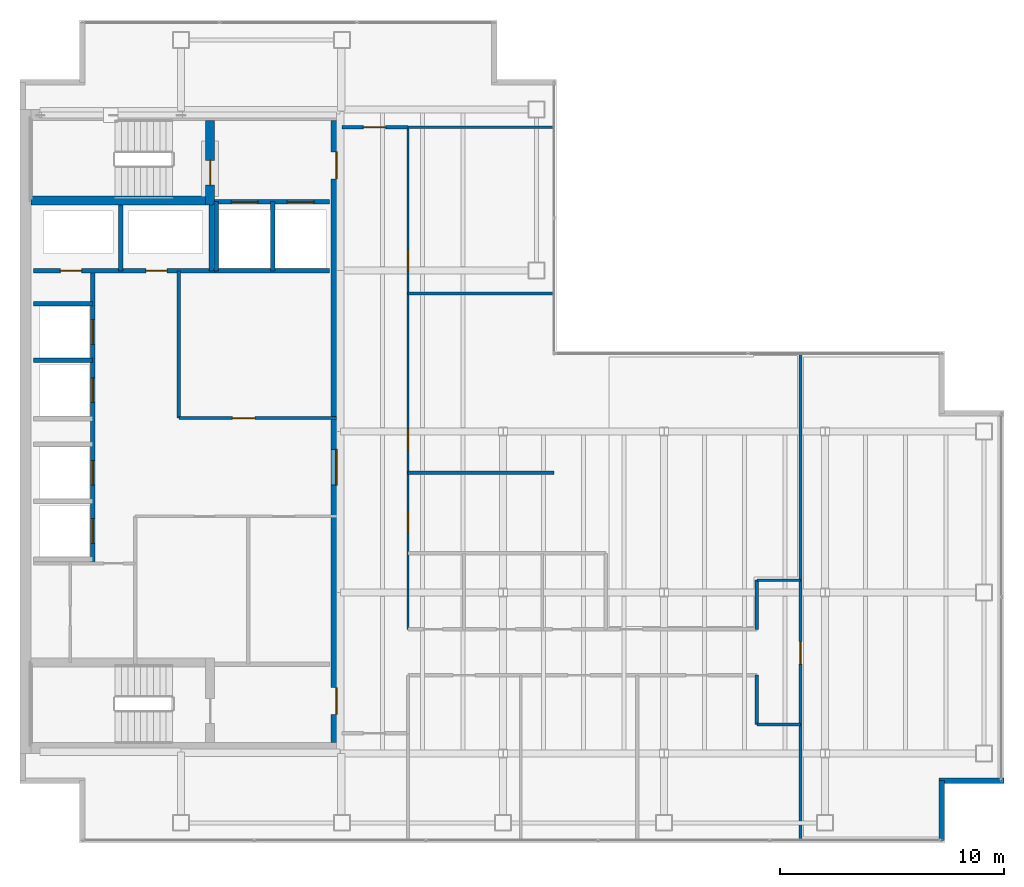
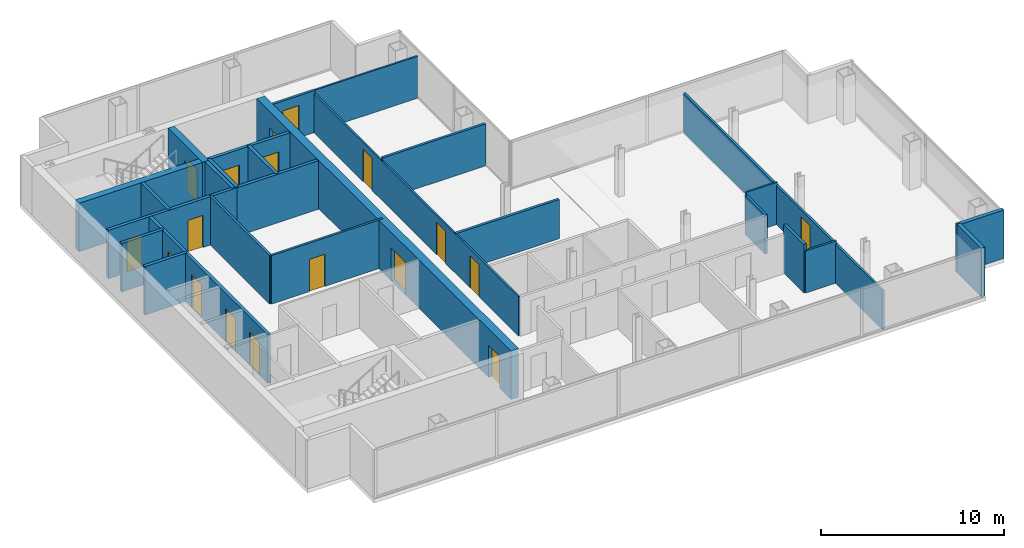
# One storey, part 21 of 23: 27 walls, 18 doors, 18 openings.
"""IFC4 building model written with IfcOpenShell, lengths in metres."""

from ifc_helpers import new_model, si_unit, direction, frame, frame_2d, origin, place, context, subcontext, project, spatial, rectangle, extrude, material, layer, layer_set, type_object, element, fill, save


model = new_model("IFC4")

# Units and contexts
model_context = context("Model", 3, precision=1e-05, world=origin(), true_north=direction((0.0, 1.0)))
body_context = subcontext(model_context, "Body", "Model", "MODEL_VIEW")
ifc_project = project(units=[si_unit("LENGTHUNIT", "METRE"), si_unit("AREAUNIT", "SQUARE_METRE"), si_unit("VOLUMEUNIT", "CUBIC_METRE"), si_unit("PLANEANGLEUNIT", "RADIAN"), si_unit("MASSUNIT", "GRAM", prefix="KILO")], contexts=[model_context])

# Site, building, storey
site_placement = place(None, origin())
site = spatial("IfcSite", under=ifc_project, at=site_placement, CompositionType="ELEMENT")
building_placement = place(site_placement, origin())
building = spatial("IfcBuilding", under=site, at=building_placement, Name="Cobrela Telecom Tower", CompositionType="ELEMENT")
storey_placement = place(building_placement, frame((0.0, 0.0, 218.75)))
storey = spatial("IfcBuildingStorey", under=building, at=storey_placement, Name="L56", CompositionType="ELEMENT", Elevation=218.75)

# Wall, openings, doors
ifc_material_1 = material(Name="Concrete C40/50", Category="concrete")
ifc_layer_1 = layer(ifc_material_1, 0.5)
ifc_layer_set_1 = layer_set([ifc_layer_1], Name="Concrete C40/50")
wall_type_1 = type_object("IfcWallType", Name="WALL-CORE-C40-500", PredefinedType="SHEAR", material=ifc_layer_set_1)
wall_1_placement = place(storey_placement, frame((14.14990234375, 35.5, 0.0), z_axis=(0.0, 0.0, 1.0), x_axis=(0.0, -1.0, 0.0)))
wall_1 = element("IfcWall", 1, at=wall_1_placement, inside=storey, type_object=wall_type_1, Name="L56 East Core Shear Wall", PredefinedType="SHEAR", context=body_context, shape_type="SweptSolid", body=[
    extrude(rectangle(XDim=27.800048828125, YDim=0.5, at=frame_2d((13.89990234375, 0.0))), origin(), (0.0, 0.0, 1.0), 3.239990234375),
])
opening_1_placement = place(wall_1_placement, frame((1.39990234375, 0.0, 0.0)))
opening_1 = element("IfcOpeningElement", 2, at=opening_1_placement, cuts=wall_1, Name="Opening DR-19", PredefinedType="OPENING", context=body_context, shape_type="SweptSolid", body=[
    extrude(rectangle(XDim=1.199951171875, YDim=2.14990234375, at=frame_2d((0.60009765625, 1.074951171875))), frame((0.0, 0.261962890625, 0.0), z_axis=(0.0, -1.0, 0.0), x_axis=(1.0, 0.0, 0.0)), (0.0, 0.0, 1.0), 0.52392578125),
])
opening_2_placement = place(wall_1_placement, frame((25.35009765625, 0.0, 0.0)))
opening_2 = element("IfcOpeningElement", 3, at=opening_2_placement, cuts=wall_1, Name="Opening DR-19", PredefinedType="OPENING", context=body_context, shape_type="SweptSolid", body=[
    extrude(rectangle(XDim=1.199951171875, YDim=2.14990234375, at=frame_2d((0.60009765625, 1.074951171875))), frame((0.0, 0.261962890625, 0.0), z_axis=(0.0, -1.0, 0.0), x_axis=(1.0, 0.0, 0.0)), (0.0, 0.0, 1.0), 0.52392578125),
])
opening_3_placement = place(wall_1_placement, frame((14.699951171875, 0.0, 0.0)))
opening_3 = element("IfcOpeningElement", 4, at=opening_3_placement, cuts=wall_1, Name="Opening DR-51", PredefinedType="OPENING", context=body_context, shape_type="SweptSolid", body=[
    extrude(rectangle(XDim=1.60009765625, YDim=2.199951171875, at=frame_2d((0.800048828125, 1.10009765625))), frame((0.0, 0.261962890625, 0.0), z_axis=(0.0, -1.0, 0.0), x_axis=(1.0, 0.0, 0.0)), (0.0, 0.0, 1.0), 0.52392578125),
])
ifc_material_2 = material(Name="Steel ASTM A36", Category="steel")
door_type_1 = type_object("IfcDoorType", Name="DOOR-FD60-1200", OperationType="SINGLE_SWING_LEFT", PredefinedType="DOOR", material=ifc_material_2)
door_1_placement = place(opening_1_placement, origin())
door_1 = element("IfcDoor", 5, at=door_1_placement, inside=storey, type_object=door_type_1, Name="L56 Door DR-19", OperationType="SINGLE_SWING_LEFT", OverallHeight=2.14990234375, OverallWidth=1.199951171875, PredefinedType="DOOR", context=body_context, shape_type="SweptSolid", body=[
    extrude(rectangle(XDim=1.199951171875, YDim=2.14990234375, at=frame_2d((0.60009765625, 1.074951171875))), frame((0.0, 0.02490234375, 0.0), z_axis=(0.0, -1.0, 0.0), x_axis=(1.0, 0.0, 0.0)), (0.0, 0.0, 1.0), 0.050048828125),
])
fill(opening_1, door_1)
door_2_placement = place(opening_2_placement, origin())
door_2 = element("IfcDoor", 6, at=door_2_placement, inside=storey, type_object=door_type_1, Name="L56 Door DR-19", OperationType="SINGLE_SWING_RIGHT", OverallHeight=2.14990234375, OverallWidth=1.199951171875, PredefinedType="DOOR", context=body_context, shape_type="SweptSolid", body=[
    extrude(rectangle(XDim=1.199951171875, YDim=2.14990234375, at=frame_2d((0.60009765625, 1.074951171875))), frame((0.0, 0.02490234375, 0.0), z_axis=(0.0, -1.0, 0.0), x_axis=(1.0, 0.0, 0.0)), (0.0, 0.0, 1.0), 0.050048828125),
])
fill(opening_2, door_2)
door_type_2 = type_object("IfcDoorType", Name="DOOR-FD60-1600", OperationType="SINGLE_SWING_LEFT", PredefinedType="DOOR", material=ifc_material_2)
door_3_placement = place(opening_3_placement, origin())
door_3 = element("IfcDoor", 7, at=door_3_placement, inside=storey, type_object=door_type_2, Name="L56 Door DR-51", OperationType="DOUBLE_DOOR_SINGLE_SWING", OverallHeight=2.199951171875, OverallWidth=1.60009765625, PredefinedType="DOOR", context=body_context, shape_type="SweptSolid", body=[
    extrude(rectangle(XDim=1.60009765625, YDim=2.199951171875, at=frame_2d((0.800048828125, 1.10009765625))), frame((0.0, 0.02490234375, 0.0), z_axis=(0.0, -1.0, 0.0), x_axis=(1.0, 0.0, 0.0)), (0.0, 0.0, 1.0), 0.050048828125),
])
fill(opening_3, door_3)

# Walls
ifc_layer_2 = layer(ifc_material_1, 0.239990234375)
ifc_layer_set_2 = layer_set([ifc_layer_2], Name="Concrete C40/50")
wall_type_2 = type_object("IfcWallType", Name="WALL-EXT-300", PredefinedType="STANDARD", material=ifc_layer_set_2)
wall_2_placement = place(storey_placement, frame((44.0, 5.989990234375, 0.0), z_axis=(0.0, 0.0, 1.0), x_axis=(-1.0, 0.0, 0.0)))
element("IfcWall", 8, at=wall_2_placement, inside=storey, type_object=wall_type_2, Name="L56 Insulated Facade Wall 15", PredefinedType="STANDARD", context=body_context, shape_type="SweptSolid", body=[
    extrude(rectangle(XDim=2.909912109375, YDim=0.239990234375, at=frame_2d((1.455078125, 0.0))), origin(), (0.0, 0.0, 1.0), 3.239990234375),
])
wall_3_placement = place(storey_placement, frame((41.2099609375, 5.989990234375, 0.0), z_axis=(0.0, 0.0, 1.0), x_axis=(0.0, -1.0, 0.0)))
element("IfcWall", 9, at=wall_3_placement, inside=storey, type_object=wall_type_2, Name="L56 Insulated Facade Wall 16", PredefinedType="STANDARD", context=body_context, shape_type="SweptSolid", body=[
    extrude(rectangle(XDim=2.669921875, YDim=0.239990234375, at=frame_2d((1.3349609375, 0.0))), origin(), (0.0, 0.0, 1.0), 3.239990234375),
])

# Wall, openings, doors
ifc_material_3 = material(Name="Fire-Rated Gypsum Plasterboard")
ifc_layer_3 = layer(ifc_material_3, 0.110107421875)
ifc_layer_set_3 = layer_set([ifc_layer_3], Name="Fire-Rated Gypsum Plasterboard")
wall_type_3 = type_object("IfcWallType", Name="WALL-PART-110", PredefinedType="PARTITIONING", material=ifc_layer_set_3)
wall_4_placement = place(storey_placement, frame((17.35009765625, 12.75, 0.0), z_axis=(0.0, 0.0, 1.0), x_axis=(0.0, 1.0, 0.0)))
wall_4 = element("IfcWall", 10, at=wall_4_placement, inside=storey, type_object=wall_type_3, Name="L56 Interior Partition W-C-E2", PredefinedType="PARTITIONING", context=body_context, shape_type="SweptSolid", body=[
    extrude(rectangle(XDim=22.449951171875, YDim=0.110107421875, at=frame_2d((11.22509765625, 0.0))), origin(), (0.0, 0.0, 1.0), 2.613037109375),
])
opening_4_placement = place(wall_4_placement, frame((4.300048828125, 0.0, 0.0)))
opening_4 = element("IfcOpeningElement", 11, at=opening_4_placement, cuts=wall_4, Name="Opening DR-17", PredefinedType="OPENING", context=body_context, shape_type="SweptSolid", body=[
    extrude(rectangle(XDim=0.97998046875, YDim=2.14990234375, at=frame_2d((0.489990234375, 1.074951171875))), frame((0.0, 0.06689453125, 0.0), z_axis=(0.0, -1.0, 0.0), x_axis=(1.0, 0.0, 0.0)), (0.0, 0.0, 1.0), 0.134033203125),
])
opening_5_placement = place(wall_4_placement, frame((8.0, 0.0, 0.0)))
opening_5 = element("IfcOpeningElement", 12, at=opening_5_placement, cuts=wall_4, Name="Opening DR-17", PredefinedType="OPENING", context=body_context, shape_type="SweptSolid", body=[
    extrude(rectangle(XDim=0.97998046875, YDim=2.14990234375, at=frame_2d((0.489990234375, 1.074951171875))), frame((0.0, 0.06689453125, 0.0), z_axis=(0.0, -1.0, 0.0), x_axis=(1.0, 0.0, 0.0)), (0.0, 0.0, 1.0), 0.134033203125),
])
opening_6_placement = place(wall_4_placement, frame((16.02001953125, 0.0, 0.0)))
opening_6 = element("IfcOpeningElement", 13, at=opening_6_placement, cuts=wall_4, Name="Opening DR-17", PredefinedType="OPENING", context=body_context, shape_type="SweptSolid", body=[
    extrude(rectangle(XDim=0.97998046875, YDim=2.14990234375, at=frame_2d((0.489990234375, 1.074951171875))), frame((0.0, 0.06689453125, 0.0), z_axis=(0.0, -1.0, 0.0), x_axis=(1.0, 0.0, 0.0)), (0.0, 0.0, 1.0), 0.134033203125),
])
ifc_material_4 = material(Name="Solid Engineered Oak Timber", Category="wood")
door_type_3 = type_object("IfcDoorType", Name="DOOR-INT-980", OperationType="SINGLE_SWING_LEFT", PredefinedType="DOOR", material=ifc_material_4)
door_4_placement = place(opening_4_placement, origin())
door_4 = element("IfcDoor", 14, at=door_4_placement, inside=storey, type_object=door_type_3, Name="L56 Door DR-17", OperationType="SINGLE_SWING_RIGHT", OverallHeight=2.14990234375, OverallWidth=0.97998046875, PredefinedType="DOOR", context=body_context, shape_type="SweptSolid", body=[
    extrude(rectangle(XDim=0.97998046875, YDim=2.14990234375, at=frame_2d((0.489990234375, 1.074951171875))), frame((0.0, 0.02490234375, 0.0), z_axis=(0.0, -1.0, 0.0), x_axis=(1.0, 0.0, 0.0)), (0.0, 0.0, 1.0), 0.050048828125),
])
fill(opening_4, door_4)
door_5_placement = place(opening_5_placement, origin())
door_5 = element("IfcDoor", 15, at=door_5_placement, inside=storey, type_object=door_type_3, Name="L56 Door DR-17", OperationType="SINGLE_SWING_LEFT", OverallHeight=2.14990234375, OverallWidth=0.97998046875, PredefinedType="DOOR", context=body_context, shape_type="SweptSolid", body=[
    extrude(rectangle(XDim=0.97998046875, YDim=2.14990234375, at=frame_2d((0.489990234375, 1.074951171875))), frame((0.0, 0.02490234375, 0.0), z_axis=(0.0, -1.0, 0.0), x_axis=(1.0, 0.0, 0.0)), (0.0, 0.0, 1.0), 0.050048828125),
])
fill(opening_5, door_5)
door_6_placement = place(opening_6_placement, origin())
door_6 = element("IfcDoor", 16, at=door_6_placement, inside=storey, type_object=door_type_3, Name="L56 Door DR-17", OperationType="SINGLE_SWING_RIGHT", OverallHeight=2.14990234375, OverallWidth=0.97998046875, PredefinedType="DOOR", context=body_context, shape_type="SweptSolid", body=[
    extrude(rectangle(XDim=0.97998046875, YDim=2.14990234375, at=frame_2d((0.489990234375, 1.074951171875))), frame((0.0, 0.02490234375, 0.0), z_axis=(0.0, -1.0, 0.0), x_axis=(1.0, 0.0, 0.0)), (0.0, 0.0, 1.0), 0.050048828125),
])
fill(opening_6, door_6)

# Walls
wall_5_placement = place(storey_placement, frame((32.949951171875, 14.949951171875, 0.0), z_axis=(0.0, 0.0, 1.0), x_axis=(1.0, 0.0, 0.0)))
element("IfcWall", 17, at=wall_5_placement, inside=storey, type_object=wall_type_3, Name="L56 Interior Partition W-CT-N", PredefinedType="PARTITIONING", context=body_context, shape_type="SweptSolid", body=[
    extrude(rectangle(XDim=1.949951171875, YDim=0.110107421875, at=frame_2d((0.97509765625, 0.0))), origin(), (0.0, 0.0, 1.0), 2.80810546875),
])
wall_6_placement = place(storey_placement, frame((17.35009765625, 35.199951171875, 0.0), z_axis=(0.0, 0.0, 1.0), x_axis=(1.0, 0.0, 0.0)))
element("IfcWall", 18, at=wall_6_placement, inside=storey, type_object=wall_type_3, Name="L56 Interior Partition W-NW-S", PredefinedType="PARTITIONING", context=body_context, shape_type="SweptSolid", body=[
    extrude(rectangle(XDim=6.52978515625, YDim=0.110107421875, at=frame_2d((3.264892578125, 0.0))), origin(), (0.0, 0.0, 1.0), 2.80810546875),
])

# Wall, opening, door
ifc_layer_4 = layer(ifc_material_3, 0.135009765625)
ifc_layer_set_4 = layer_set([ifc_layer_4], Name="Fire-Rated Gypsum Plasterboard")
wall_type_4 = type_object("IfcWallType", Name="WALL-PART-135", PredefinedType="PARTITIONING", material=ifc_layer_set_4)
wall_7_placement = place(storey_placement, frame((7.10009765625, 22.199951171875, 0.0), z_axis=(0.0, 0.0, 1.0), x_axis=(1.0, 0.0, 0.0)))
wall_7 = element("IfcWall", 19, at=wall_7_placement, inside=storey, type_object=wall_type_4, Name="L56 Interior Partition CW-RECL-S", PredefinedType="PARTITIONING", context=body_context, shape_type="SweptSolid", body=[
    extrude(rectangle(XDim=7.0498046875, YDim=0.135009765625, at=frame_2d((3.52490234375, 0.0))), origin(), (0.0, 0.0, 1.0), 3.239990234375),
])
opening_7_placement = place(wall_7_placement, frame((2.39990234375, 0.0, 0.0)))
opening_7 = element("IfcOpeningElement", 20, at=opening_7_placement, cuts=wall_7, Name="Opening DR-31", PredefinedType="OPENING", context=body_context, shape_type="SweptSolid", body=[
    extrude(rectangle(XDim=1.0, YDim=2.14990234375, at=frame_2d((0.5, 1.074951171875))), frame((0.0, 0.07958984375, 0.0), z_axis=(0.0, -1.0, 0.0), x_axis=(1.0, 0.0, 0.0)), (0.0, 0.0, 1.0), 0.158935546875),
])
door_type_4 = type_object("IfcDoorType", Name="DOOR-INT-1000", OperationType="SINGLE_SWING_LEFT", PredefinedType="DOOR", material=ifc_material_4)
door_7_placement = place(opening_7_placement, origin())
door_7 = element("IfcDoor", 21, at=door_7_placement, inside=storey, type_object=door_type_4, Name="L56 Door DR-31", OperationType="SINGLE_SWING_LEFT", OverallHeight=2.14990234375, OverallWidth=1.0, PredefinedType="DOOR", context=body_context, shape_type="SweptSolid", body=[
    extrude(rectangle(XDim=1.0, YDim=2.14990234375, at=frame_2d((0.5, 1.074951171875))), frame((0.0, 0.02490234375, 0.0), z_axis=(0.0, -1.0, 0.0), x_axis=(1.0, 0.0, 0.0)), (0.0, 0.0, 1.0), 0.050048828125),
])
fill(opening_7, door_7)

# Wall
wall_8_placement = place(storey_placement, frame((32.949951171875, 8.5, 0.0), z_axis=(0.0, 0.0, 1.0), x_axis=(1.0, 0.0, 0.0)))
element("IfcWall", 22, at=wall_8_placement, inside=storey, type_object=wall_type_4, Name="L56 Interior Partition W-CT-S", PredefinedType="PARTITIONING", context=body_context, shape_type="SweptSolid", body=[
    extrude(rectangle(XDim=1.949951171875, YDim=0.135009765625, at=frame_2d((0.97509765625, 0.0))), origin(), (0.0, 0.0, 1.0), 2.80810546875),
])

# Wall, opening, door
wall_9_placement = place(storey_placement, frame((34.89990234375, 3.320068359375, 0.0), z_axis=(0.0, 0.0, 1.0), x_axis=(0.0, 1.0, 0.0)))
wall_9 = element("IfcWall", 23, at=wall_9_placement, inside=storey, type_object=wall_type_4, Name="L56 Interior Partition W-C-END", PredefinedType="PARTITIONING", context=body_context, shape_type="SweptSolid", body=[
    extrude(rectangle(XDim=21.760009765625, YDim=0.135009765625, at=frame_2d((10.8798828125, 0.0))), origin(), (0.0, 0.0, 1.0), 2.613037109375),
])
opening_8_placement = place(wall_9_placement, frame((7.8798828125, 0.0, 0.0)))
opening_8 = element("IfcOpeningElement", 24, at=opening_8_placement, cuts=wall_9, Name="Opening DR-31", PredefinedType="OPENING", context=body_context, shape_type="SweptSolid", body=[
    extrude(rectangle(XDim=1.0, YDim=2.14990234375, at=frame_2d((0.5, 1.074951171875))), frame((0.0, 0.07958984375, 0.0), z_axis=(0.0, -1.0, 0.0), x_axis=(1.0, 0.0, 0.0)), (0.0, 0.0, 1.0), 0.158935546875),
])
door_8_placement = place(opening_8_placement, origin())
door_8 = element("IfcDoor", 25, at=door_8_placement, inside=storey, type_object=door_type_4, Name="L56 Door DR-31", OperationType="SINGLE_SWING_LEFT", OverallHeight=2.14990234375, OverallWidth=1.0, PredefinedType="DOOR", context=body_context, shape_type="SweptSolid", body=[
    extrude(rectangle(XDim=1.0, YDim=2.14990234375, at=frame_2d((0.5, 1.074951171875))), frame((0.0, 0.02490234375, 0.0), z_axis=(0.0, -1.0, 0.0), x_axis=(1.0, 0.0, 0.0)), (0.0, 0.0, 1.0), 0.050048828125),
])
fill(opening_8, door_8)

# Wall
ifc_layer_5 = layer(ifc_material_3, 0.14990234375)
ifc_layer_set_5 = layer_set([ifc_layer_5], Name="Fire-Rated Gypsum Plasterboard")
wall_type_5 = type_object("IfcWallType", Name="WALL-PART-150", PredefinedType="PARTITIONING", material=ifc_layer_set_5)
wall_10_placement = place(storey_placement, frame((7.10009765625, 22.199951171875, 0.0), z_axis=(0.0, 0.0, 1.0), x_axis=(0.0, 1.0, 0.0)))
element("IfcWall", 26, at=wall_10_placement, inside=storey, type_object=wall_type_5, Name="L56 Interior Partition CW-RECL-W", PredefinedType="PARTITIONING", context=body_context, shape_type="SweptSolid", body=[
    extrude(rectangle(XDim=6.580078125, YDim=0.14990234375, at=frame_2d((3.2900390625, 0.0))), origin(), (0.0, 0.0, 1.0), 3.239990234375),
])

# Wall, opening, door
wall_11_placement = place(storey_placement, frame((14.39990234375, 35.199951171875, 0.0), z_axis=(0.0, 0.0, 1.0), x_axis=(1.0, 0.0, 0.0)))
wall_11 = element("IfcWall", 27, at=wall_11_placement, inside=storey, type_object=wall_type_5, Name="L56 Interior Partition W-C-N0", PredefinedType="PARTITIONING", context=body_context, shape_type="SweptSolid", body=[
    extrude(rectangle(XDim=2.9501953125, YDim=0.14990234375, at=frame_2d((1.47509765625, 0.0))), origin(), (0.0, 0.0, 1.0), 2.80810546875),
])
opening_9_placement = place(wall_11_placement, frame((0.949951171875, 0.0, 0.0)))
opening_9 = element("IfcOpeningElement", 28, at=opening_9_placement, cuts=wall_11, Name="Opening DR-31", PredefinedType="OPENING", context=body_context, shape_type="SweptSolid", body=[
    extrude(rectangle(XDim=1.0, YDim=2.14990234375, at=frame_2d((0.5, 1.074951171875))), frame((0.0, 0.0869140625, 0.0), z_axis=(0.0, -1.0, 0.0), x_axis=(1.0, 0.0, 0.0)), (0.0, 0.0, 1.0), 0.173828125),
])
door_9_placement = place(opening_9_placement, origin())
door_9 = element("IfcDoor", 29, at=door_9_placement, inside=storey, type_object=door_type_4, Name="L56 Door DR-31", OperationType="SINGLE_SWING_LEFT", OverallHeight=2.14990234375, OverallWidth=1.0, PredefinedType="DOOR", context=body_context, shape_type="SweptSolid", body=[
    extrude(rectangle(XDim=1.0, YDim=2.14990234375, at=frame_2d((0.5, 1.074951171875))), frame((0.0, 0.02490234375, 0.0), z_axis=(0.0, -1.0, 0.0), x_axis=(1.0, 0.0, 0.0)), (0.0, 0.0, 1.0), 0.050048828125),
])
fill(opening_9, door_9)

# Walls
wall_12_placement = place(storey_placement, frame((32.949951171875, 12.75, 0.0), z_axis=(0.0, 0.0, 1.0), x_axis=(0.0, 1.0, 0.0)))
element("IfcWall", 30, at=wall_12_placement, inside=storey, type_object=wall_type_5, Name="L56 Interior Partition W-CT-JW2", PredefinedType="PARTITIONING", context=body_context, shape_type="SweptSolid", body=[
    extrude(rectangle(XDim=2.199951171875, YDim=0.14990234375, at=frame_2d((1.10009765625, 0.0))), origin(), (0.0, 0.0, 1.0), 2.613037109375),
])
wall_13_placement = place(storey_placement, frame((17.35009765625, 27.77001953125, 0.0), z_axis=(0.0, 0.0, 1.0), x_axis=(1.0, 0.0, 0.0)))
element("IfcWall", 31, at=wall_13_placement, inside=storey, type_object=wall_type_5, Name="L56 Interior Partition W-NT-M", PredefinedType="PARTITIONING", context=body_context, shape_type="SweptSolid", body=[
    extrude(rectangle(XDim=6.52978515625, YDim=0.14990234375, at=frame_2d((3.264892578125, 0.0))), origin(), (0.0, 0.0, 1.0), 2.80810546875),
])
ifc_layer_6 = layer(ifc_material_3, 0.159912109375)
ifc_layer_set_6 = layer_set([ifc_layer_6], Name="Fire-Rated Gypsum Plasterboard")
wall_type_6 = type_object("IfcWallType", Name="WALL-PART-160", PredefinedType="PARTITIONING", material=ifc_layer_set_6)
wall_14_placement = place(storey_placement, frame((32.949951171875, 8.5, 0.0), z_axis=(0.0, 0.0, 1.0), x_axis=(0.0, 1.0, 0.0)))
element("IfcWall", 32, at=wall_14_placement, inside=storey, type_object=wall_type_6, Name="L56 Interior Partition W-CT-JW1", PredefinedType="PARTITIONING", context=body_context, shape_type="SweptSolid", body=[
    extrude(rectangle(XDim=2.199951171875, YDim=0.159912109375, at=frame_2d((1.10009765625, 0.0))), origin(), (0.0, 0.0, 1.0), 3.239990234375),
])
wall_15_placement = place(storey_placement, frame((17.35009765625, 19.75, 0.0), z_axis=(0.0, 0.0, 1.0), x_axis=(1.0, 0.0, 0.0)))
element("IfcWall", 33, at=wall_15_placement, inside=storey, type_object=wall_type_6, Name="L56 Interior Partition W-NPAN-T", PredefinedType="PARTITIONING", context=body_context, shape_type="SweptSolid", body=[
    extrude(rectangle(XDim=6.52978515625, YDim=0.159912109375, at=frame_2d((3.264892578125, 0.0))), origin(), (0.0, 0.0, 1.0), 2.613037109375),
])

# Wall, openings, doors
ifc_layer_7 = layer(ifc_material_3, 0.199951171875)
ifc_layer_set_7 = layer_set([ifc_layer_7], Name="Fire-Rated Gypsum Plasterboard")
wall_type_7 = type_object("IfcWallType", Name="WALL-SHAFT-200", PredefinedType="PARTITIONING", material=ifc_layer_set_7)
wall_16_placement = place(storey_placement, frame((8.699951171875, 31.8798828125, 0.0), z_axis=(0.0, 0.0, 1.0), x_axis=(1.0, 0.0, 0.0)))
wall_16 = element("IfcWall", 34, at=wall_16_placement, inside=storey, type_object=wall_type_7, Name="L56 Shaft Enclosure CW-FFL-S", PredefinedType="PARTITIONING", context=body_context, shape_type="SweptSolid", body=[
    extrude(rectangle(XDim=5.150146484375, YDim=0.199951171875, at=frame_2d((2.5751953125, 0.0))), origin(), (0.0, 0.0, 1.0), 3.239990234375),
])
opening_10_placement = place(wall_16_placement, frame((0.75, 0.0, 0.0)))
opening_10 = element("IfcOpeningElement", 35, at=opening_10_placement, cuts=wall_16, Name="Opening LD-2", PredefinedType="OPENING", context=body_context, shape_type="SweptSolid", body=[
    extrude(rectangle(XDim=1.199951171875, YDim=2.199951171875, at=frame_2d((0.60009765625, 1.10009765625))), frame((0.0, 0.11181640625, 0.0), z_axis=(0.0, -1.0, 0.0), x_axis=(1.0, 0.0, 0.0)), (0.0, 0.0, 1.0), 0.223876953125),
])
opening_11_placement = place(wall_16_placement, frame((3.25, 0.0, 0.0)))
opening_11 = element("IfcOpeningElement", 36, at=opening_11_placement, cuts=wall_16, Name="Opening LD-2", PredefinedType="OPENING", context=body_context, shape_type="SweptSolid", body=[
    extrude(rectangle(XDim=1.199951171875, YDim=2.199951171875, at=frame_2d((0.60009765625, 1.10009765625))), frame((0.0, 0.11181640625, 0.0), z_axis=(0.0, -1.0, 0.0), x_axis=(1.0, 0.0, 0.0)), (0.0, 0.0, 1.0), 0.223876953125),
])
door_type_5 = type_object("IfcDoorType", Name="DOOR-LD-FFL", OperationType="SINGLE_SWING_LEFT", PredefinedType="DOOR", material=ifc_material_2)
door_10_placement = place(opening_10_placement, origin())
door_10 = element("IfcDoor", 37, at=door_10_placement, inside=storey, type_object=door_type_5, Name="L56 Lift Landing Door LD-2", OperationType="DOUBLE_DOOR_SLIDING", OverallHeight=2.199951171875, OverallWidth=1.199951171875, PredefinedType="DOOR", context=body_context, shape_type="SweptSolid", body=[
    extrude(rectangle(XDim=1.199951171875, YDim=2.199951171875, at=frame_2d((0.60009765625, 1.10009765625))), frame((0.0, 0.02490234375, 0.0), z_axis=(0.0, -1.0, 0.0), x_axis=(1.0, 0.0, 0.0)), (0.0, 0.0, 1.0), 0.050048828125),
])
fill(opening_10, door_10)
door_11_placement = place(opening_11_placement, origin())
door_11 = element("IfcDoor", 38, at=door_11_placement, inside=storey, type_object=door_type_5, Name="L56 Lift Landing Door LD-2", OperationType="DOUBLE_DOOR_SLIDING", OverallHeight=2.199951171875, OverallWidth=1.199951171875, PredefinedType="DOOR", context=body_context, shape_type="SweptSolid", body=[
    extrude(rectangle(XDim=1.199951171875, YDim=2.199951171875, at=frame_2d((0.60009765625, 1.10009765625))), frame((0.0, 0.02490234375, 0.0), z_axis=(0.0, -1.0, 0.0), x_axis=(1.0, 0.0, 0.0)), (0.0, 0.0, 1.0), 0.050048828125),
])
fill(opening_11, door_11)

# Walls
wall_17_placement = place(storey_placement, frame((8.699951171875, 28.780029296875, 0.0), z_axis=(0.0, 0.0, 1.0), x_axis=(1.0, 0.0, 0.0)))
element("IfcWall", 39, at=wall_17_placement, inside=storey, type_object=wall_type_7, Name="L56 Shaft Enclosure CW-FFL-S2", PredefinedType="PARTITIONING", context=body_context, shape_type="SweptSolid", body=[
    extrude(rectangle(XDim=5.150146484375, YDim=0.199951171875, at=frame_2d((2.5751953125, 0.0))), origin(), (0.0, 0.0, 1.0), 3.239990234375),
])
for number, where, z_axis, x_axis, name in (
    (40, (8.780029296875, 28.780029296875, 0.0), (0.0, 0.0, 1.0), (0.0, 1.0, 0.0), "L56 Shaft Enclosure CW-FFL-W"),
    (41, (11.300048828125, 28.780029296875, 0.0), (0.0, 0.0, 1.0), (0.0, 1.0, 0.0), "L56 Shaft Enclosure CW-FFL-M"),
):
    element("IfcWall", number, at=place(storey_placement, frame(where, z_axis=z_axis, x_axis=x_axis)), inside=storey, type_object=wall_type_7, Name=name, PredefinedType="PARTITIONING", context=body_context, shape_type="SweptSolid", body=[
        extrude(rectangle(XDim=3.099853515625, YDim=0.199951171875, at=frame_2d((1.5498046875, 0.0))), origin(), (0.0, 0.0, 1.0), 3.239990234375),
    ])

# Wall, openings, doors
wall_18_placement = place(storey_placement, frame((0.60009765625, 28.780029296875, 0.0), z_axis=(0.0, 0.0, 1.0), x_axis=(1.0, 0.0, 0.0)))
wall_18 = element("IfcWall", 42, at=wall_18_placement, inside=storey, type_object=wall_type_7, Name="L56 Shaft Enclosure CW-RIS-S", PredefinedType="PARTITIONING", context=body_context, shape_type="SweptSolid", body=[
    extrude(rectangle(XDim=8.179931640625, YDim=0.199951171875, at=frame_2d((4.08984375, 0.0))), origin(), (0.0, 0.0, 1.0), 3.239990234375),
])
opening_12_placement = place(wall_18_placement, frame((1.2099609375, 0.0, 0.0)))
opening_12 = element("IfcOpeningElement", 43, at=opening_12_placement, cuts=wall_18, Name="Opening DR-65", PredefinedType="OPENING", context=body_context, shape_type="SweptSolid", body=[
    extrude(rectangle(XDim=0.949951171875, YDim=2.14990234375, at=frame_2d((0.47509765625, 1.074951171875))), frame((0.0, 0.11181640625, 0.0), z_axis=(0.0, -1.0, 0.0), x_axis=(1.0, 0.0, 0.0)), (0.0, 0.0, 1.0), 0.223876953125),
])
opening_13_placement = place(wall_18_placement, frame((5.030029296875, 0.0, 0.0)))
opening_13 = element("IfcOpeningElement", 44, at=opening_13_placement, cuts=wall_18, Name="Opening DR-65", PredefinedType="OPENING", context=body_context, shape_type="SweptSolid", body=[
    extrude(rectangle(XDim=0.949951171875, YDim=2.14990234375, at=frame_2d((0.47509765625, 1.074951171875))), frame((0.0, 0.11181640625, 0.0), z_axis=(0.0, -1.0, 0.0), x_axis=(1.0, 0.0, 0.0)), (0.0, 0.0, 1.0), 0.223876953125),
])
door_type_6 = type_object("IfcDoorType", Name="DOOR-FD60-950", OperationType="SINGLE_SWING_LEFT", PredefinedType="DOOR", material=ifc_material_2)
door_12_placement = place(opening_12_placement, origin())
door_12 = element("IfcDoor", 45, at=door_12_placement, inside=storey, type_object=door_type_6, Name="L56 Door DR-65", OperationType="SINGLE_SWING_LEFT", OverallHeight=2.14990234375, OverallWidth=0.949951171875, PredefinedType="DOOR", context=body_context, shape_type="SweptSolid", body=[
    extrude(rectangle(XDim=0.949951171875, YDim=2.14990234375, at=frame_2d((0.47509765625, 1.074951171875))), frame((0.0, 0.02490234375, 0.0), z_axis=(0.0, -1.0, 0.0), x_axis=(1.0, 0.0, 0.0)), (0.0, 0.0, 1.0), 0.050048828125),
])
fill(opening_12, door_12)
door_13_placement = place(opening_13_placement, origin())
door_13 = element("IfcDoor", 46, at=door_13_placement, inside=storey, type_object=door_type_6, Name="L56 Door DR-65", OperationType="SINGLE_SWING_RIGHT", OverallHeight=2.14990234375, OverallWidth=0.949951171875, PredefinedType="DOOR", context=body_context, shape_type="SweptSolid", body=[
    extrude(rectangle(XDim=0.949951171875, YDim=2.14990234375, at=frame_2d((0.47509765625, 1.074951171875))), frame((0.0, 0.02490234375, 0.0), z_axis=(0.0, -1.0, 0.0), x_axis=(1.0, 0.0, 0.0)), (0.0, 0.0, 1.0), 0.050048828125),
])
fill(opening_13, door_13)

# Walls
for number, where, z_axis, x_axis, name in (
    (47, (4.5, 28.780029296875, 0.0), (0.0, 0.0, 1.0), (0.0, 1.0, 0.0), "L56 Shaft Enclosure CW-RIS-M"),
    (48, (8.550048828125, 28.780029296875, 0.0), (0.0, 0.0, 1.0), (0.0, 1.0, 0.0), "L56 Shaft Enclosure CW-RIS-E"),
):
    element("IfcWall", number, at=place(storey_placement, frame(where, z_axis=z_axis, x_axis=x_axis)), inside=storey, type_object=wall_type_7, Name=name, PredefinedType="PARTITIONING", context=body_context, shape_type="SweptSolid", body=[
        extrude(rectangle(XDim=2.93994140625, YDim=0.199951171875, at=frame_2d((1.469970703125, 0.0))), origin(), (0.0, 0.0, 1.0), 3.239990234375),
    ])

# Wall, openings, doors
wall_19_placement = place(storey_placement, frame((3.25, 15.699951171875, 0.0), z_axis=(0.0, 0.0, 1.0), x_axis=(0.0, 1.0, 0.0)))
wall_19 = element("IfcWall", 49, at=wall_19_placement, inside=storey, type_object=wall_type_7, Name="L56 Shaft Enclosure CW-PLH-E", PredefinedType="PARTITIONING", context=body_context, shape_type="SweptSolid", body=[
    extrude(rectangle(XDim=13.080078125, YDim=0.199951171875, at=frame_2d((6.5400390625, 0.0))), origin(), (0.0, 0.0, 1.0), 3.239990234375),
])
opening_14_placement = place(wall_19_placement, frame((0.89990234375, 0.0, 0.0)))
opening_14 = element("IfcOpeningElement", 50, at=opening_14_placement, cuts=wall_19, Name="Opening LD-1", PredefinedType="OPENING", context=body_context, shape_type="SweptSolid", body=[
    extrude(rectangle(XDim=1.10009765625, YDim=2.199951171875, at=frame_2d((0.550048828125, 1.10009765625))), frame((0.0, 0.11181640625, 0.0), z_axis=(0.0, -1.0, 0.0), x_axis=(1.0, 0.0, 0.0)), (0.0, 0.0, 1.0), 0.223876953125),
])
opening_15_placement = place(wall_19_placement, frame((3.5, 0.0, 0.0)))
opening_15 = element("IfcOpeningElement", 51, at=opening_15_placement, cuts=wall_19, Name="Opening LD-1", PredefinedType="OPENING", context=body_context, shape_type="SweptSolid", body=[
    extrude(rectangle(XDim=1.10009765625, YDim=2.199951171875, at=frame_2d((0.550048828125, 1.10009765625))), frame((0.0, 0.11181640625, 0.0), z_axis=(0.0, -1.0, 0.0), x_axis=(1.0, 0.0, 0.0)), (0.0, 0.0, 1.0), 0.223876953125),
])
opening_16_placement = place(wall_19_placement, frame((7.199951171875, 0.0, 0.0)))
opening_16 = element("IfcOpeningElement", 52, at=opening_16_placement, cuts=wall_19, Name="Opening LD-1", PredefinedType="OPENING", context=body_context, shape_type="SweptSolid", body=[
    extrude(rectangle(XDim=1.10009765625, YDim=2.199951171875, at=frame_2d((0.550048828125, 1.10009765625))), frame((0.0, 0.11181640625, 0.0), z_axis=(0.0, -1.0, 0.0), x_axis=(1.0, 0.0, 0.0)), (0.0, 0.0, 1.0), 0.223876953125),
])
opening_17_placement = place(wall_19_placement, frame((9.800048828125, 0.0, 0.0)))
opening_17 = element("IfcOpeningElement", 53, at=opening_17_placement, cuts=wall_19, Name="Opening LD-1", PredefinedType="OPENING", context=body_context, shape_type="SweptSolid", body=[
    extrude(rectangle(XDim=1.10009765625, YDim=2.199951171875, at=frame_2d((0.550048828125, 1.10009765625))), frame((0.0, 0.11181640625, 0.0), z_axis=(0.0, -1.0, 0.0), x_axis=(1.0, 0.0, 0.0)), (0.0, 0.0, 1.0), 0.223876953125),
])
door_type_7 = type_object("IfcDoorType", Name="DOOR-LD-PL", OperationType="SINGLE_SWING_LEFT", PredefinedType="DOOR", material=ifc_material_2)
door_14_placement = place(opening_14_placement, origin())
door_14 = element("IfcDoor", 54, at=door_14_placement, inside=storey, type_object=door_type_7, Name="L56 Lift Landing Door LD-1", OperationType="DOUBLE_DOOR_SLIDING", OverallHeight=2.199951171875, OverallWidth=1.10009765625, PredefinedType="DOOR", context=body_context, shape_type="SweptSolid", body=[
    extrude(rectangle(XDim=1.10009765625, YDim=2.199951171875, at=frame_2d((0.550048828125, 1.10009765625))), frame((0.0, 0.02490234375, 0.0), z_axis=(0.0, -1.0, 0.0), x_axis=(1.0, 0.0, 0.0)), (0.0, 0.0, 1.0), 0.050048828125),
])
fill(opening_14, door_14)
door_15_placement = place(opening_15_placement, origin())
door_15 = element("IfcDoor", 55, at=door_15_placement, inside=storey, type_object=door_type_7, Name="L56 Lift Landing Door LD-1", OperationType="DOUBLE_DOOR_SLIDING", OverallHeight=2.199951171875, OverallWidth=1.10009765625, PredefinedType="DOOR", context=body_context, shape_type="SweptSolid", body=[
    extrude(rectangle(XDim=1.10009765625, YDim=2.199951171875, at=frame_2d((0.550048828125, 1.10009765625))), frame((0.0, 0.02490234375, 0.0), z_axis=(0.0, -1.0, 0.0), x_axis=(1.0, 0.0, 0.0)), (0.0, 0.0, 1.0), 0.050048828125),
])
fill(opening_15, door_15)
door_16_placement = place(opening_16_placement, origin())
door_16 = element("IfcDoor", 56, at=door_16_placement, inside=storey, type_object=door_type_7, Name="L56 Lift Landing Door LD-1", OperationType="DOUBLE_DOOR_SLIDING", OverallHeight=2.199951171875, OverallWidth=1.10009765625, PredefinedType="DOOR", context=body_context, shape_type="SweptSolid", body=[
    extrude(rectangle(XDim=1.10009765625, YDim=2.199951171875, at=frame_2d((0.550048828125, 1.10009765625))), frame((0.0, 0.02490234375, 0.0), z_axis=(0.0, -1.0, 0.0), x_axis=(1.0, 0.0, 0.0)), (0.0, 0.0, 1.0), 0.050048828125),
])
fill(opening_16, door_16)
door_17_placement = place(opening_17_placement, origin())
door_17 = element("IfcDoor", 57, at=door_17_placement, inside=storey, type_object=door_type_7, Name="L56 Lift Landing Door LD-1", OperationType="DOUBLE_DOOR_SLIDING", OverallHeight=2.199951171875, OverallWidth=1.10009765625, PredefinedType="DOOR", context=body_context, shape_type="SweptSolid", body=[
    extrude(rectangle(XDim=1.10009765625, YDim=2.199951171875, at=frame_2d((0.550048828125, 1.10009765625))), frame((0.0, 0.02490234375, 0.0), z_axis=(0.0, -1.0, 0.0), x_axis=(1.0, 0.0, 0.0)), (0.0, 0.0, 1.0), 0.050048828125),
])
fill(opening_17, door_17)

# Walls
for number, where, z_axis, x_axis, name in (
    (58, (0.60009765625, 24.780029296875, 0.0), (0.0, 0.0, 1.0), (1.0, 0.0, 0.0), "L56 Shaft Enclosure CW-PLH-D12"),
    (59, (0.60009765625, 27.320068359375, 0.0), (0.0, 0.0, 1.0), (1.0, 0.0, 0.0), "L56 Shaft Enclosure CW-PLH-TOP"),
):
    element("IfcWall", number, at=place(storey_placement, frame(where, z_axis=z_axis, x_axis=x_axis)), inside=storey, type_object=wall_type_7, Name=name, PredefinedType="PARTITIONING", context=body_context, shape_type="SweptSolid", body=[
        extrude(rectangle(XDim=2.64990234375, YDim=0.199951171875, at=frame_2d((1.324951171875, 0.0))), origin(), (0.0, 0.0, 1.0), 3.239990234375),
    ])
ifc_layer_8 = layer(ifc_material_1, 0.39990234375)
ifc_layer_set_8 = layer_set([ifc_layer_8], Name="Concrete C40/50")
wall_type_8 = type_object("IfcWallType", Name="WALL-SHAFT-C40-400", PredefinedType="SHEAR", material=ifc_layer_set_8)
wall_20_placement = place(storey_placement, frame((0.5, 31.919921875, 0.0), z_axis=(0.0, 0.0, 1.0), x_axis=(1.0, 0.0, 0.0)))
element("IfcWall", 60, at=wall_20_placement, inside=storey, type_object=wall_type_8, Name="L56 North Stair Shear Wall", PredefinedType="SHEAR", context=body_context, shape_type="SweptSolid", body=[
    extrude(rectangle(XDim=7.800048828125, YDim=0.39990234375, at=frame_2d((3.89990234375, 0.0))), origin(), (0.0, 0.0, 1.0), 3.239990234375),
])

# Wall, opening, door
wall_21_placement = place(storey_placement, frame((8.5, 31.719970703125, 0.0), z_axis=(0.0, 0.0, 1.0), x_axis=(0.0, 1.0, 0.0)))
wall_21 = element("IfcWall", 61, at=wall_21_placement, inside=storey, type_object=wall_type_8, Name="L56 North Stair Lobby Shear Wall", PredefinedType="SHEAR", context=body_context, shape_type="SweptSolid", body=[
    extrude(rectangle(XDim=3.780029296875, YDim=0.39990234375, at=frame_2d((1.89013671875, 0.0))), origin(), (0.0, 0.0, 1.0), 3.239990234375),
])
opening_18_placement = place(wall_21_placement, frame((0.89990234375, 0.0, 0.0)))
opening_18 = element("IfcOpeningElement", 62, at=opening_18_placement, cuts=wall_21, Name="Opening DR-59", PredefinedType="OPENING", context=body_context, shape_type="SweptSolid", body=[
    extrude(rectangle(XDim=1.10009765625, YDim=2.14990234375, at=frame_2d((0.550048828125, 1.074951171875))), frame((0.0, 0.2119140625, 0.0), z_axis=(0.0, -1.0, 0.0), x_axis=(1.0, 0.0, 0.0)), (0.0, 0.0, 1.0), 0.423828125),
])
door_type_8 = type_object("IfcDoorType", Name="DOOR-FD60-1100", OperationType="SINGLE_SWING_LEFT", PredefinedType="DOOR", material=ifc_material_2)
door_18_placement = place(opening_18_placement, origin())
door_18 = element("IfcDoor", 63, at=door_18_placement, inside=storey, type_object=door_type_8, Name="L56 Door DR-59", OperationType="SINGLE_SWING_RIGHT", OverallHeight=2.14990234375, OverallWidth=1.10009765625, PredefinedType="DOOR", context=body_context, shape_type="SweptSolid", body=[
    extrude(rectangle(XDim=1.10009765625, YDim=2.14990234375, at=frame_2d((0.550048828125, 1.074951171875))), frame((0.0, 0.02490234375, 0.0), z_axis=(0.0, -1.0, 0.0), x_axis=(1.0, 0.0, 0.0)), (0.0, 0.0, 1.0), 0.050048828125),
])
fill(opening_18, door_18)

save(model, "model.ifc")
